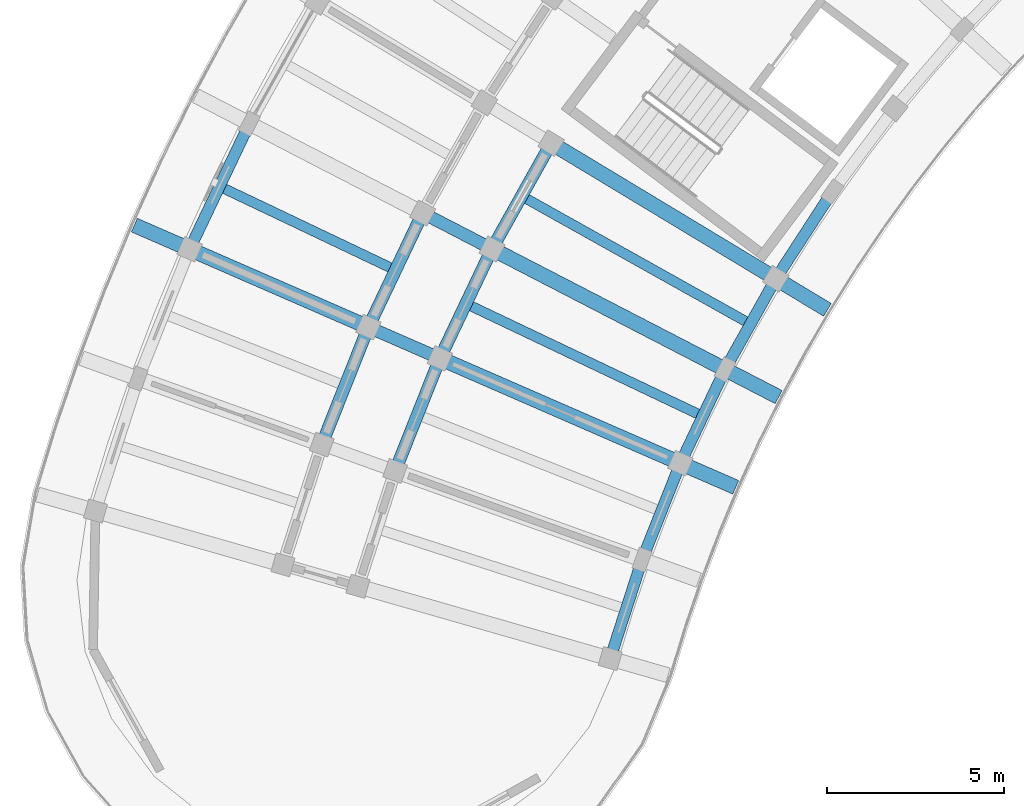
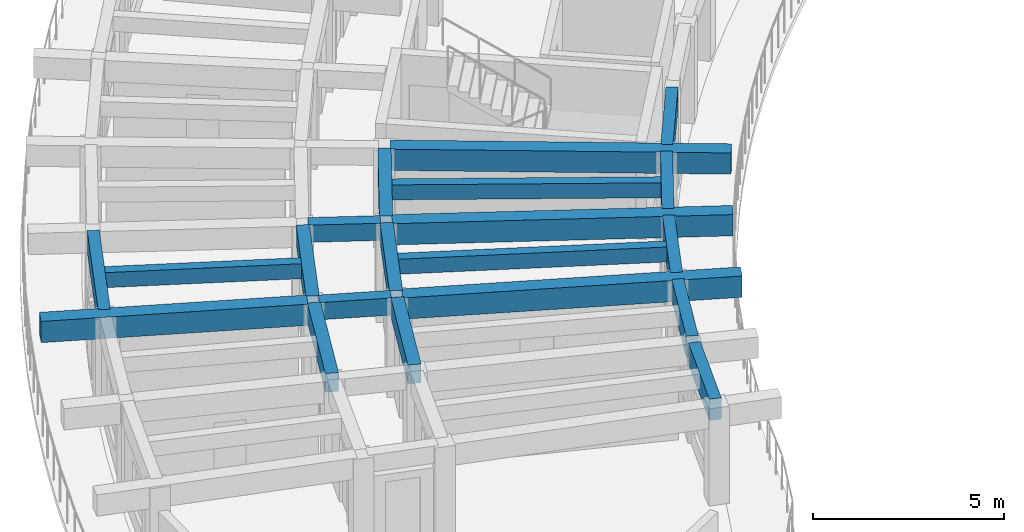
# One storey, part 9 of 78: 20 beams.
"""IFC4 building model written with IfcOpenShell, lengths in metres."""

from ifc_helpers import new_model, si_unit, direction, frame, origin, origin_2d, place, context, subcontext, project, spatial, rectangle, extrude, material, material_profile, profile_set, type_object, element, save


model = new_model("IFC4")

# Units and contexts
model_context = context("Model", 3, precision=1e-05, world=origin(), true_north=direction((0.0, 1.0)))
body_context = subcontext(model_context, "Body", "Model", "MODEL_VIEW")
ifc_project = project(units=[si_unit("LENGTHUNIT", "METRE"), si_unit("AREAUNIT", "SQUARE_METRE"), si_unit("VOLUMEUNIT", "CUBIC_METRE"), si_unit("PLANEANGLEUNIT", "RADIAN"), si_unit("MASSUNIT", "GRAM", prefix="KILO")], contexts=[model_context])

# Site, building, storey
site_placement = place(None, origin())
site = spatial("IfcSite", under=ifc_project, at=site_placement, CompositionType="ELEMENT")
building_placement = place(site_placement, origin())
building = spatial("IfcBuilding", under=site, at=building_placement, Name="Tanwirah Colonnade Gardens", CompositionType="ELEMENT")
storey_placement = place(building_placement, frame((0.0, 0.0, 22.280029296875)))
storey = spatial("IfcBuildingStorey", under=building, at=storey_placement, Name="L06", CompositionType="ELEMENT", Elevation=22.280029296875)

# Beams
ifc_material_1 = material(Name="Precast concrete C40/50", Category="concrete")
ifc_material_profile_1 = material_profile(ifc_material_1, rectangle(XDim=0.35009765625, YDim=0.550048828125, at=origin_2d()), Name="PC-BM 350x550")
ifc_profile_set_1 = profile_set([ifc_material_profile_1], Name="Precast concrete C40/50")
beam_type_1 = type_object("IfcBeamType", Name="BM-PC350A", PredefinedType="BEAM", material=ifc_profile_set_1)
for number, where, z_axis, x_axis, name in (
    (1, (18.8056640625, 84.07666015625, 2.8349609375), (-0.888358643941, 0.459150214784, 0.0), (-0.459150214784, -0.888358643941, 0.0), "Block A L06 Corridor Tie Beam 15"),
    (2, (17.3330078125, 80.981201171875, 2.8349609375), (-0.916681481826, 0.399618644306, 0.0), (-0.399618644306, -0.916681481826, 0.0), "Block A L06 Corridor Tie Beam 16"),
):
    element("IfcBeam", number, at=place(storey_placement, frame(where, z_axis=z_axis, x_axis=x_axis)), inside=storey, type_object=beam_type_1, Name=name, PredefinedType="BEAM", context=body_context, shape_type="SweptSolid", body=[
        extrude(rectangle(XDim=0.35009765625, YDim=0.550048828125, at=origin_2d()), origin(), (0.0, 0.0, 1.0), 1.89990234375),
    ])
ifc_material_profile_2 = material_profile(ifc_material_1, rectangle(XDim=0.35009765625, YDim=0.60009765625, at=origin_2d()), Name="PC-BM 350x600")
ifc_profile_set_2 = profile_set([ifc_material_profile_2], Name="Precast concrete C40/50")
beam_type_2 = type_object("IfcBeamType", Name="BM-PC350B", PredefinedType="BEAM", material=ifc_profile_set_2)
beam_1_placement = place(storey_placement, frame((20.534423828125, 86.85986328125, 2.81005859375), z_axis=(-0.488200372352, -0.872731571811, 0.0), x_axis=(0.872731571811, -0.488200372352, 0.0)))
element("IfcBeam", 3, at=beam_1_placement, inside=storey, type_object=beam_type_2, Name="Block A L06 Circumferential Beam 14-R1", PredefinedType="BEAM", context=body_context, shape_type="SweptSolid", body=[
    extrude(rectangle(XDim=0.35009765625, YDim=0.60009765625, at=origin_2d()), origin(), (0.0, 0.0, 1.0), 3.117919921875),
])
beam_2_placement = place(storey_placement, frame((18.87451171875, 83.872314453125, 2.81005859375), z_axis=(-0.429620507728, -0.903009534468, 0.0), x_axis=(0.903009534468, -0.429620507728, 0.0)))
element("IfcBeam", 4, at=beam_2_placement, inside=storey, type_object=beam_type_2, Name="Block A L06 Circumferential Beam 15-R1", PredefinedType="BEAM", context=body_context, shape_type="SweptSolid", body=[
    extrude(rectangle(XDim=0.35009765625, YDim=0.60009765625, at=origin_2d()), origin(), (0.0, 0.0, 1.0), 3.1181640625),
])
beam_3_placement = place(storey_placement, frame((16.920166015625, 84.882568359375, 2.81005859375), z_axis=(-0.4295908638, -0.90302363742, 0.0), x_axis=(0.90302363742, -0.4295908638, 0.0)))
element("IfcBeam", 5, at=beam_3_placement, inside=storey, type_object=beam_type_2, Name="Block A L06 Circumferential Beam 15-R2", PredefinedType="BEAM", context=body_context, shape_type="SweptSolid", body=[
    extrude(rectangle(XDim=0.35009765625, YDim=0.60009765625, at=origin_2d()), origin(), (0.0, 0.0, 1.0), 3.26318359375),
])
beam_4_placement = place(storey_placement, frame((17.4150390625, 80.78173828125, 2.81005859375), z_axis=(-0.369189105832, -0.929354294193, 0.0), x_axis=(0.929354294193, -0.369189105832, 0.0)))
element("IfcBeam", 6, at=beam_4_placement, inside=storey, type_object=beam_type_2, Name="Block A L06 Circumferential Beam 16-R1", PredefinedType="BEAM", context=body_context, shape_type="SweptSolid", body=[
    extrude(rectangle(XDim=0.35009765625, YDim=0.60009765625, at=origin_2d()), origin(), (0.0, 0.0, 1.0), 3.117919921875),
])
beam_5_placement = place(storey_placement, frame((15.3984375, 81.6611328125, 2.81005859375), z_axis=(-0.369209712056, -0.929346108037, 0.0), x_axis=(0.929346108037, -0.369209712056, 0.0)))
element("IfcBeam", 7, at=beam_5_placement, inside=storey, type_object=beam_type_2, Name="Block A L06 Circumferential Beam 16-R2", PredefinedType="BEAM", context=body_context, shape_type="SweptSolid", body=[
    extrude(rectangle(XDim=0.35009765625, YDim=0.60009765625, at=origin_2d()), origin(), (0.0, 0.0, 1.0), 3.26318359375),
])
ifc_material_2 = material(Name="Precast concrete C45/55", Category="concrete")
ifc_material_profile_3 = material_profile(ifc_material_2, rectangle(XDim=0.419921875, YDim=0.679931640625, at=origin_2d()), Name="PC-BM 420x680")
ifc_profile_set_3 = profile_set([ifc_material_profile_3], Name="Precast concrete C45/55")
beam_type_3 = type_object("IfcBeamType", Name="BM-PC420", PredefinedType="BEAM", material=ifc_profile_set_3)
beam_6_placement = place(storey_placement, frame((20.736083984375, 86.913330078125, 2.77001953125), z_axis=(0.856168728297, -0.516696340887, 0.0), x_axis=(0.516696340887, 0.856168728297, 0.0)))
element("IfcBeam", 8, at=beam_6_placement, inside=storey, type_object=beam_type_3, Name="Block A L06 Inner Radial Precast Girder 14", PredefinedType="BEAM", context=body_context, shape_type="SweptSolid", body=[
    extrude(rectangle(XDim=0.419921875, YDim=0.679931640625, at=origin_2d()), origin(), (0.0, 0.0, 1.0), 8.9501953125),
])
beam_7_placement = place(storey_placement, frame((19.072265625, 83.93896484375, 2.77001953125), z_axis=(0.888345427876, -0.459175784175, 0.0), x_axis=(0.459175784175, 0.888345427876, 0.0)))
element("IfcBeam", 9, at=beam_7_placement, inside=storey, type_object=beam_type_3, Name="Block A L06 Inner Radial Precast Girder 15", PredefinedType="BEAM", context=body_context, shape_type="SweptSolid", body=[
    extrude(rectangle(XDim=0.419921875, YDim=0.679931640625, at=origin_2d()), origin(), (0.0, 0.0, 1.0), 8.949951171875),
])
beam_8_placement = place(storey_placement, frame((17.60791015625, 80.861328125, 2.77001953125), z_axis=(0.916669317869, -0.399646545934, 0.0), x_axis=(0.399646545934, 0.916669317869, 0.0)))
element("IfcBeam", 10, at=beam_8_placement, inside=storey, type_object=beam_type_3, Name="Block A L06 Inner Radial Precast Girder 16", PredefinedType="BEAM", context=body_context, shape_type="SweptSolid", body=[
    extrude(rectangle(XDim=0.419921875, YDim=0.679931640625, at=origin_2d()), origin(), (0.0, 0.0, 1.0), 8.9501953125),
])
beam_9_placement = place(storey_placement, frame((15.31640625, 81.8603515625, 2.77001953125), z_axis=(-0.916678725612, 0.399624966702, 0.0), x_axis=(-0.399624966702, -0.916678725612, 0.0)))
element("IfcBeam", 11, at=beam_9_placement, inside=storey, type_object=beam_type_3, Name="Block A L06 Outer Radial Precast Girder 16", PredefinedType="BEAM", context=body_context, shape_type="SweptSolid", body=[
    extrude(rectangle(XDim=0.419921875, YDim=0.679931640625, at=origin_2d()), origin(), (0.0, 0.0, 1.0), 7.050048828125),
])
ifc_material_profile_4 = material_profile(ifc_material_1, rectangle(XDim=0.280029296875, YDim=0.47998046875, at=origin_2d()), Name="PC-JST 280x480")
ifc_profile_set_4 = profile_set([ifc_material_profile_4], Name="Precast concrete C40/50")
beam_type_4 = type_object("IfcBeamType", Name="JST-PC280", PredefinedType="JOIST", material=ifc_profile_set_4)
beam_10_placement = place(storey_placement, frame((26.102294921875, 81.958984375, 2.869873046875), z_axis=(-0.872726875563, 0.488208767506, 0.0), x_axis=(-0.488208767506, -0.872726875563, 0.0)))
element("IfcBeam", 12, at=beam_10_placement, inside=storey, type_object=beam_type_4, Name="Block A L06 Inner Precast Floor Joist 14", PredefinedType="JOIST", context=body_context, shape_type="SweptSolid", body=[
    extrude(rectangle(XDim=0.280029296875, YDim=0.47998046875, at=origin_2d()), origin(), (0.0, 0.0, 1.0), 7.16015625),
])
beam_11_placement = place(storey_placement, frame((16.08447265625, 83.473388671875, 2.869873046875), z_axis=(-0.903018314862, 0.429602051931, 0.0), x_axis=(-0.429602051931, -0.903018314862, 0.0)))
element("IfcBeam", 13, at=beam_11_placement, inside=storey, type_object=beam_type_4, Name="Block A L06 Precast Floor Joist 15", PredefinedType="JOIST", context=body_context, shape_type="SweptSolid", body=[
    extrude(rectangle(XDim=0.280029296875, YDim=0.47998046875, at=origin_2d()), origin(), (0.0, 0.0, 1.0), 5.26025390625),
])
beam_12_placement = place(storey_placement, frame((24.753173828125, 79.348876953125, 2.869873046875), z_axis=(-0.903005429363, 0.429629136048, 0.0), x_axis=(-0.429629136048, -0.903005429363, 0.0)))
element("IfcBeam", 14, at=beam_12_placement, inside=storey, type_object=beam_type_4, Name="Block A L06 Inner Precast Floor Joist 15", PredefinedType="JOIST", context=body_context, shape_type="SweptSolid", body=[
    extrude(rectangle(XDim=0.280029296875, YDim=0.47998046875, at=origin_2d()), origin(), (0.0, 0.0, 1.0), 7.16015625),
])
ifc_material_profile_5 = material_profile(ifc_material_2, rectangle(XDim=0.320068359375, YDim=0.679931640625, at=origin_2d()), Name="PC-SP 320x680")
ifc_profile_set_5 = profile_set([ifc_material_profile_5], Name="Precast concrete C45/55")
beam_type_5 = type_object("IfcBeamType", Name="SP-PC320", PredefinedType="SPANDREL", material=ifc_profile_set_5)
beam_13_placement = place(storey_placement, frame((28.45751953125, 85.4990234375, 2.77001953125), z_axis=(-0.544570677829, -0.838714955661, 0.0), x_axis=(0.838714955661, -0.544570677829, 0.0)))
element("IfcBeam", 15, at=beam_13_placement, inside=storey, type_object=beam_type_5, Name="Block A L06 Circumferential Beam 13-R0", PredefinedType="SPANDREL", context=body_context, shape_type="SweptSolid", body=[
    extrude(rectangle(XDim=0.320068359375, YDim=0.679931640625, at=origin_2d()), origin(), (0.0, 0.0, 1.0), 2.63037109375),
])
beam_14_placement = place(storey_placement, frame((26.8701171875, 83.036376953125, 2.77001953125), z_axis=(-0.488170837957, -0.872748092503, 0.0), x_axis=(0.872748092503, -0.488170837957, 0.0)))
element("IfcBeam", 16, at=beam_14_placement, inside=storey, type_object=beam_type_5, Name="Block A L06 Circumferential Beam 14-R0", PredefinedType="SPANDREL", context=body_context, shape_type="SweptSolid", body=[
    extrude(rectangle(XDim=0.320068359375, YDim=0.679931640625, at=origin_2d()), origin(), (0.0, 0.0, 1.0), 2.630126953125),
])
beam_15_placement = place(storey_placement, frame((25.448486328125, 80.474609375, 2.77001953125), z_axis=(-0.42964173036, -0.902999437172, 0.0), x_axis=(0.902999437172, -0.42964173036, 0.0)))
element("IfcBeam", 17, at=beam_15_placement, inside=storey, type_object=beam_type_5, Name="Block A L06 Circumferential Beam 15-R0", PredefinedType="SPANDREL", context=body_context, shape_type="SweptSolid", body=[
    extrude(rectangle(XDim=0.320068359375, YDim=0.679931640625, at=origin_2d()), origin(), (0.0, 0.0, 1.0), 2.63037109375),
])
beam_16_placement = place(storey_placement, frame((12.0341796875, 87.407958984375, 2.77001953125), z_axis=(-0.429593766142, -0.903022256698, 0.0), x_axis=(0.903022256698, -0.429593766142, 0.0)))
element("IfcBeam", 18, at=beam_16_placement, inside=storey, type_object=beam_type_5, Name="Block A L06 Circumferential Beam 15-R3", PredefinedType="SPANDREL", context=body_context, shape_type="SweptSolid", body=[
    extrude(rectangle(XDim=0.320068359375, YDim=0.679931640625, at=origin_2d()), origin(), (0.0, 0.0, 1.0), 3.625732421875),
])
beam_17_placement = place(storey_placement, frame((24.198486328125, 77.824462890625, 2.77001953125), z_axis=(-0.369245181709, -0.929332015904, 0.0), x_axis=(0.929332015904, -0.369245181709, 0.0)))
element("IfcBeam", 19, at=beam_17_placement, inside=storey, type_object=beam_type_5, Name="Block A L06 Circumferential Beam 16-R0", PredefinedType="SPANDREL", context=body_context, shape_type="SweptSolid", body=[
    extrude(rectangle(XDim=0.320068359375, YDim=0.679931640625, at=origin_2d()), origin(), (0.0, 0.0, 1.0), 2.630126953125),
])
beam_18_placement = place(storey_placement, frame((23.1259765625, 75.097900390625, 2.77001953125), z_axis=(-0.307219720817, -0.951638609526, 0.0), x_axis=(0.951638609526, -0.307219720817, 0.0)))
element("IfcBeam", 20, at=beam_18_placement, inside=storey, type_object=beam_type_5, Name="Block A L06 Circumferential Beam 17-R0", PredefinedType="SPANDREL", context=body_context, shape_type="SweptSolid", body=[
    extrude(rectangle(XDim=0.320068359375, YDim=0.679931640625, at=origin_2d()), origin(), (0.0, 0.0, 1.0), 2.63037109375),
])

save(model, "model.ifc")
